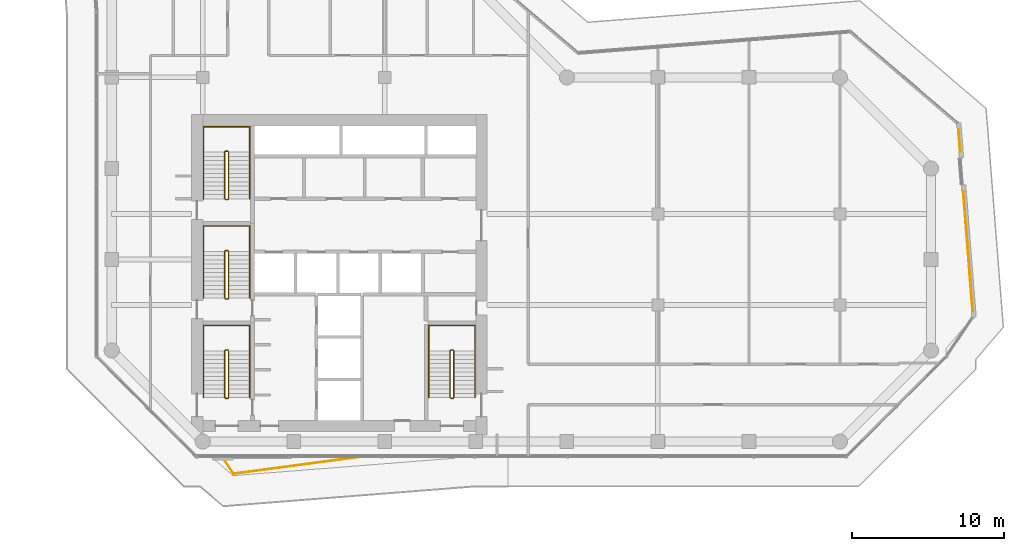
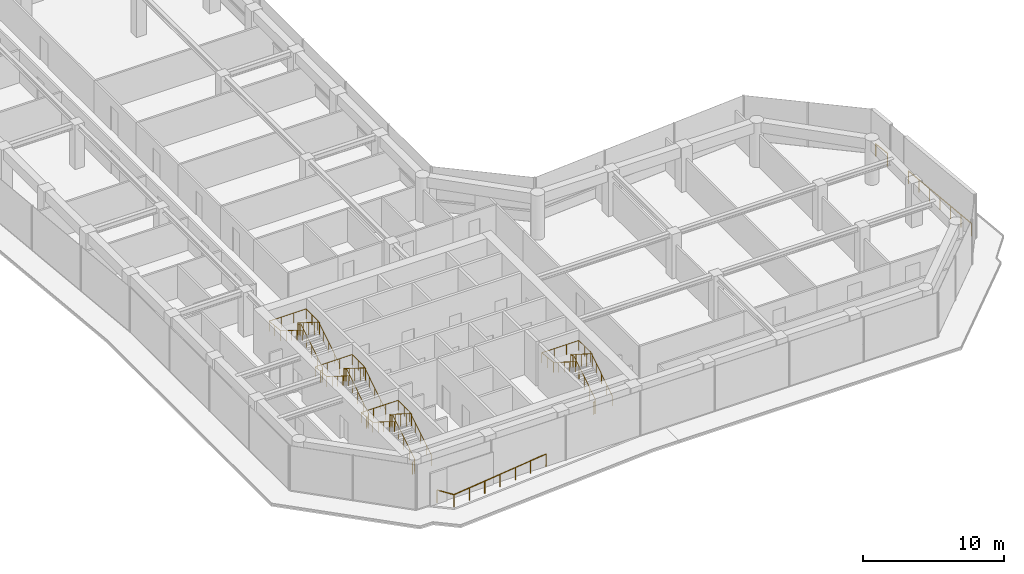
# One storey, part 24 of 25: 11 railings.
"""IFC4 building model written with IfcOpenShell, lengths in metres."""

from ifc_helpers import new_model, si_unit, direction, frame, origin, origin_2d, place, context, subcontext, project, spatial, circle, extrude, material, type_object, element, save


model = new_model("IFC4")

# Units and contexts
model_context = context("Model", 3, precision=1e-05, world=origin(), true_north=direction((0.0, 1.0)))
body_context = subcontext(model_context, "Body", "Model", "MODEL_VIEW")
ifc_project = project(units=[si_unit("LENGTHUNIT", "METRE"), si_unit("AREAUNIT", "SQUARE_METRE"), si_unit("VOLUMEUNIT", "CUBIC_METRE"), si_unit("PLANEANGLEUNIT", "RADIAN"), si_unit("MASSUNIT", "GRAM", prefix="KILO")], contexts=[model_context])

# Site, building, storey
site_placement = place(None, origin())
site = spatial("IfcSite", under=ifc_project, at=site_placement, CompositionType="ELEMENT")
building_placement = place(site_placement, origin())
building = spatial("IfcBuilding", under=site, at=building_placement, Name="Welwitschia Terrace Campus", CompositionType="ELEMENT")
storey_placement = place(building_placement, frame((0.0, 0.0, 92.0)))
storey = spatial("IfcBuildingStorey", under=building, at=storey_placement, Name="L20", CompositionType="ELEMENT", Elevation=92.0)

# Railings
ifc_material_1 = material(Name="Stainless steel grade 316", Category="steel")
railing_type_1 = type_object("IfcRailingType", Name="Guard 1100", PredefinedType="GUARDRAIL", material=ifc_material_1)
railing_1_placement = place(storey_placement, frame((16.236083984375, 2.969970703125, 0.0)))
element("IfcRailing", 1, at=railing_1_placement, inside=storey, type_object=railing_type_1, Name="Guard floor edge L20.1", PredefinedType="GUARDRAIL", context=body_context, shape_type="SweptSolid", body=[
    extrude(circle(Radius=0.02392578125, at=origin_2d()), frame((0.0, 0.0, 1.076171875), z_axis=(-0.991187855802, -0.132463710167, 0.0), x_axis=(0.132463710167, -0.991187855802, 0.0)), (0.0, 0.0, 1.0), 8.262451171875),
    extrude(circle(Radius=0.02392578125, at=origin_2d()), frame((-8.189697265625, -1.094482421875, 1.076171875), z_axis=(-0.56751834248, 0.823360753831, 0.0), x_axis=(-0.823360753831, -0.56751834248, 0.0)), (0.0, 0.0, 1.0), 1.329345703125),
    extrude(circle(Radius=0.02099609375, at=origin_2d()), origin(), (0.0, 0.0, 1.0), 1.052001953125),
    extrude(circle(Radius=0.02099609375, at=origin_2d()), frame((-1.364990234375, -0.182373046875, 0.0)), (0.0, 0.0, 1.0), 1.052001953125),
    extrude(circle(Radius=0.02099609375, at=origin_2d()), frame((-2.72998046875, -0.36474609375, 0.0)), (0.0, 0.0, 1.0), 1.052001953125),
    extrude(circle(Radius=0.02099609375, at=origin_2d()), frame((-4.0947265625, -0.54736328125, 0.0)), (0.0, 0.0, 1.0), 1.052001953125),
    extrude(circle(Radius=0.02099609375, at=origin_2d()), frame((-5.459716796875, -0.729736328125, 0.0)), (0.0, 0.0, 1.0), 1.052001953125),
    extrude(circle(Radius=0.02099609375, at=origin_2d()), frame((-6.82470703125, -0.912109375, 0.0)), (0.0, 0.0, 1.0), 1.052001953125),
    extrude(circle(Radius=0.02099609375, at=origin_2d()), frame((-8.189697265625, -1.094482421875, 0.0)), (0.0, 0.0, 1.0), 1.052001953125),
    extrude(circle(Radius=0.02099609375, at=origin_2d()), frame((-8.944091796875, 0.0, 0.0)), (0.0, 0.0, 1.0), 1.052001953125),
])
railing_2_placement = place(storey_placement, frame((55.80712890625, 24.57568359375, 0.0)))
element("IfcRailing", 2, at=railing_2_placement, inside=storey, type_object=railing_type_1, Name="Guard floor edge L20.4", PredefinedType="GUARDRAIL", context=body_context, shape_type="SweptSolid", body=[
    extrude(circle(Radius=0.02392578125, at=origin_2d()), frame((0.0, 0.0, 1.076171875), z_axis=(0.078441150902, -0.996918745859, 0.0), x_axis=(0.996918745859, 0.078441150902, 0.0)), (0.0, 0.0, 1.0), 1.466064453125),
    extrude(circle(Radius=0.02099609375, at=origin_2d()), origin(), (0.0, 0.0, 1.0), 1.052001953125),
    extrude(circle(Radius=0.02099609375, at=origin_2d()), frame((0.114990234375, -1.46142578125, 0.0)), (0.0, 0.0, 1.0), 1.052001953125),
])
railing_3_placement = place(storey_placement, frame((56.1298828125, 20.47509765625, 0.0)))
element("IfcRailing", 3, at=railing_3_placement, inside=storey, type_object=railing_type_1, Name="Guard floor edge L20.5", PredefinedType="GUARDRAIL", context=body_context, shape_type="SweptSolid", body=[
    extrude(circle(Radius=0.02392578125, at=origin_2d()), frame((0.0, 0.0, 1.076171875), z_axis=(0.078477584204, -0.996915878486, 0.0), x_axis=(0.996915878486, 0.078477584204, 0.0)), (0.0, 0.0, 1.0), 7.892578125),
    extrude(circle(Radius=0.02099609375, at=origin_2d()), origin(), (0.0, 0.0, 1.0), 1.052001953125),
    extrude(circle(Radius=0.02099609375, at=origin_2d()), frame((0.103271484375, -1.311279296875, 0.0)), (0.0, 0.0, 1.0), 1.052001953125),
    extrude(circle(Radius=0.02099609375, at=origin_2d()), frame((0.20654296875, -2.622802734375, 0.0)), (0.0, 0.0, 1.0), 1.052001953125),
    extrude(circle(Radius=0.02099609375, at=origin_2d()), frame((0.3095703125, -3.93408203125, 0.0)), (0.0, 0.0, 1.0), 1.052001953125),
    extrude(circle(Radius=0.02099609375, at=origin_2d()), frame((0.412841796875, -5.245361328125, 0.0)), (0.0, 0.0, 1.0), 1.052001953125),
    extrude(circle(Radius=0.02099609375, at=origin_2d()), frame((0.51611328125, -6.556884765625, 0.0)), (0.0, 0.0, 1.0), 1.052001953125),
    extrude(circle(Radius=0.02099609375, at=origin_2d()), frame((0.619384765625, -7.8681640625, 0.0)), (0.0, 0.0, 1.0), 1.052001953125),
])
ifc_material_2 = material(Name="Steel S355", Category="steel")
railing_type_2 = type_object("IfcRailingType", Name="Stair guard 1100", PredefinedType="GUARDRAIL", material=ifc_material_2)
railing_4_placement = place(storey_placement, frame((7.5, 6.85009765625, 0.0)))
element("IfcRailing", 4, at=railing_4_placement, inside=storey, type_object=railing_type_2, Name="L20 S1 stair guard", PredefinedType="GUARDRAIL", context=body_context, shape_type="SweptSolid", body=[
    extrude(circle(Radius=0.02392578125, at=origin_2d()), frame((0.0, 0.0, 1.076171875), z_axis=(1.0, 0.0, 0.0), x_axis=(0.0, 1.0, 0.0)), (0.0, 0.0, 1.0), 0.14990234375),
    extrude(circle(Radius=0.02392578125, at=origin_2d()), frame((0.14990234375, 0.0, 1.076171875), z_axis=(0.265155923931, 0.263862480399, 0.927399011991), x_axis=(-0.705375805398, 0.708833529934, 0.0)), (0.0, 0.0, 1.0), 0.188720703125),
    extrude(circle(Radius=0.02392578125, at=origin_2d()), frame((0.199951171875, 0.0498046875, 1.2509765625), z_axis=(0.0, 0.847998304005, 0.529998940003), x_axis=(-1.0, 0.0, 0.0)), (0.0, 0.0, 1.0), 3.632080078125),
    extrude(circle(Radius=0.02392578125, at=origin_2d()), frame((0.199951171875, 3.1298828125, 3.17626953125), z_axis=(-0.707106781187, 0.707106781187, 0.0), x_axis=(-0.707106781187, -0.707106781187, 0.0)), (0.0, 0.0, 1.0), 0.07080078125),
    extrude(circle(Radius=0.02392578125, at=origin_2d()), frame((0.14990234375, 3.179931640625, 3.17626953125), z_axis=(-1.0, 0.0, 0.0), x_axis=(0.0, -1.0, 0.0)), (0.0, 0.0, 1.0), 0.14990234375),
    extrude(circle(Radius=0.02392578125, at=origin_2d()), frame((0.0, 3.179931640625, 3.17626953125), z_axis=(-0.265383341853, -0.265383341853, 0.926899867156), x_axis=(0.707106781187, -0.707106781187, 0.0)), (0.0, 0.0, 1.0), 0.1884765625),
    extrude(circle(Radius=0.02392578125, at=origin_2d()), frame((-0.050048828125, 3.1298828125, 3.35107421875), z_axis=(0.0, -0.847998304005, 0.529998940003), x_axis=(1.0, 0.0, 0.0)), (0.0, 0.0, 1.0), 3.632080078125),
    extrude(circle(Radius=0.02099609375, at=origin_2d()), origin(), (0.0, 0.0, 1.0), 1.052001953125),
    extrude(circle(Radius=0.02099609375, at=origin_2d()), frame((0.14990234375, 0.0, 0.0)), (0.0, 0.0, 1.0), 1.052001953125),
    extrude(circle(Radius=0.02099609375, at=origin_2d()), frame((0.199951171875, 0.0498046875, 0.175048828125)), (0.0, 0.0, 1.0), 1.052001953125),
    extrude(circle(Radius=0.02099609375, at=origin_2d()), frame((0.199951171875, 0.81982421875, 0.65625)), (0.0, 0.0, 1.0), 1.052001953125),
    extrude(circle(Radius=0.02099609375, at=origin_2d()), frame((0.199951171875, 1.58984375, 1.1376953125)), (0.0, 0.0, 1.0), 1.052001953125),
    extrude(circle(Radius=0.02099609375, at=origin_2d()), frame((0.199951171875, 2.35986328125, 1.618896484375)), (0.0, 0.0, 1.0), 1.052001953125),
    extrude(circle(Radius=0.02099609375, at=origin_2d()), frame((0.199951171875, 3.1298828125, 2.10009765625)), (0.0, 0.0, 1.0), 1.052001953125),
    extrude(circle(Radius=0.02099609375, at=origin_2d()), frame((0.14990234375, 3.179931640625, 2.10009765625)), (0.0, 0.0, 1.0), 1.052001953125),
    extrude(circle(Radius=0.02099609375, at=origin_2d()), frame((0.0, 3.179931640625, 2.10009765625)), (0.0, 0.0, 1.0), 1.052001953125),
    extrude(circle(Radius=0.02099609375, at=origin_2d()), frame((-0.050048828125, 3.1298828125, 2.27490234375)), (0.0, 0.0, 1.0), 1.052001953125),
    extrude(circle(Radius=0.02099609375, at=origin_2d()), frame((-0.050048828125, 2.35986328125, 2.756103515625)), (0.0, 0.0, 1.0), 1.052001953125),
    extrude(circle(Radius=0.02099609375, at=origin_2d()), frame((-0.050048828125, 1.58984375, 3.2373046875)), (0.0, 0.0, 1.0), 1.052001953125),
    extrude(circle(Radius=0.02099609375, at=origin_2d()), frame((-0.050048828125, 0.81982421875, 3.71875)), (0.0, 0.0, 1.0), 1.052001953125),
    extrude(circle(Radius=0.02099609375, at=origin_2d()), frame((-0.050048828125, 0.0498046875, 4.199951171875)), (0.0, 0.0, 1.0), 1.052001953125),
])
railing_5_placement = place(storey_placement, frame((7.5, 13.39990234375, 0.0)))
element("IfcRailing", 5, at=railing_5_placement, inside=storey, type_object=railing_type_2, Name="L20 S3 stair guard", PredefinedType="GUARDRAIL", context=body_context, shape_type="SweptSolid", body=[
    extrude(circle(Radius=0.02392578125, at=origin_2d()), frame((0.0, 0.0, 1.076171875), z_axis=(1.0, 0.0, 0.0), x_axis=(0.0, 1.0, 0.0)), (0.0, 0.0, 1.0), 0.14990234375),
    extrude(circle(Radius=0.02392578125, at=origin_2d()), frame((0.14990234375, 0.0, 1.076171875), z_axis=(0.265065253269, 0.265065253269, 0.927081885822), x_axis=(-0.707106781187, 0.707106781187, 0.0)), (0.0, 0.0, 1.0), 0.188720703125),
    extrude(circle(Radius=0.02392578125, at=origin_2d()), frame((0.199951171875, 0.050048828125, 1.2509765625), z_axis=(0.0, 0.847998304005, 0.529998940003), x_axis=(-1.0, 0.0, 0.0)), (0.0, 0.0, 1.0), 3.632080078125),
    extrude(circle(Radius=0.02392578125, at=origin_2d()), frame((0.199951171875, 3.130126953125, 3.17626953125), z_axis=(-0.707106781187, 0.707106781187, 0.0), x_axis=(-0.707106781187, -0.707106781187, 0.0)), (0.0, 0.0, 1.0), 0.07080078125),
    extrude(circle(Radius=0.02392578125, at=origin_2d()), frame((0.14990234375, 3.18017578125, 3.17626953125), z_axis=(-1.0, 0.0, 0.0), x_axis=(0.0, -1.0, 0.0)), (0.0, 0.0, 1.0), 0.14990234375),
    extrude(circle(Radius=0.02392578125, at=origin_2d()), frame((0.0, 3.18017578125, 3.17626953125), z_axis=(-0.265383341853, -0.265383341853, 0.926899867156), x_axis=(0.707106781187, -0.707106781187, 0.0)), (0.0, 0.0, 1.0), 0.1884765625),
    extrude(circle(Radius=0.02392578125, at=origin_2d()), frame((-0.050048828125, 3.130126953125, 3.35107421875), z_axis=(0.0, -0.847998304005, 0.529998940003), x_axis=(1.0, 0.0, 0.0)), (0.0, 0.0, 1.0), 3.632080078125),
    extrude(circle(Radius=0.02099609375, at=origin_2d()), origin(), (0.0, 0.0, 1.0), 1.052001953125),
    extrude(circle(Radius=0.02099609375, at=origin_2d()), frame((0.14990234375, 0.0, 0.0)), (0.0, 0.0, 1.0), 1.052001953125),
    extrude(circle(Radius=0.02099609375, at=origin_2d()), frame((0.199951171875, 0.050048828125, 0.175048828125)), (0.0, 0.0, 1.0), 1.052001953125),
    extrude(circle(Radius=0.02099609375, at=origin_2d()), frame((0.199951171875, 0.820068359375, 0.65625)), (0.0, 0.0, 1.0), 1.052001953125),
    extrude(circle(Radius=0.02099609375, at=origin_2d()), frame((0.199951171875, 1.590087890625, 1.1376953125)), (0.0, 0.0, 1.0), 1.052001953125),
    extrude(circle(Radius=0.02099609375, at=origin_2d()), frame((0.199951171875, 2.360107421875, 1.618896484375)), (0.0, 0.0, 1.0), 1.052001953125),
    extrude(circle(Radius=0.02099609375, at=origin_2d()), frame((0.199951171875, 3.130126953125, 2.10009765625)), (0.0, 0.0, 1.0), 1.052001953125),
    extrude(circle(Radius=0.02099609375, at=origin_2d()), frame((0.14990234375, 3.18017578125, 2.10009765625)), (0.0, 0.0, 1.0), 1.052001953125),
    extrude(circle(Radius=0.02099609375, at=origin_2d()), frame((0.0, 3.18017578125, 2.10009765625)), (0.0, 0.0, 1.0), 1.052001953125),
    extrude(circle(Radius=0.02099609375, at=origin_2d()), frame((-0.050048828125, 3.130126953125, 2.27490234375)), (0.0, 0.0, 1.0), 1.052001953125),
    extrude(circle(Radius=0.02099609375, at=origin_2d()), frame((-0.050048828125, 2.360107421875, 2.756103515625)), (0.0, 0.0, 1.0), 1.052001953125),
    extrude(circle(Radius=0.02099609375, at=origin_2d()), frame((-0.050048828125, 1.590087890625, 3.2373046875)), (0.0, 0.0, 1.0), 1.052001953125),
    extrude(circle(Radius=0.02099609375, at=origin_2d()), frame((-0.050048828125, 0.820068359375, 3.71875)), (0.0, 0.0, 1.0), 1.052001953125),
    extrude(circle(Radius=0.02099609375, at=origin_2d()), frame((-0.050048828125, 0.050048828125, 4.199951171875)), (0.0, 0.0, 1.0), 1.052001953125),
])
railing_6_placement = place(storey_placement, frame((7.5, 19.949951171875, 0.0)))
element("IfcRailing", 6, at=railing_6_placement, inside=storey, type_object=railing_type_2, Name="L20 S4 stair guard", PredefinedType="GUARDRAIL", context=body_context, shape_type="SweptSolid", body=[
    extrude(circle(Radius=0.02392578125, at=origin_2d()), frame((0.0, 0.0, 1.076171875), z_axis=(1.0, 0.0, 0.0), x_axis=(0.0, 1.0, 0.0)), (0.0, 0.0, 1.0), 0.14990234375),
    extrude(circle(Radius=0.02392578125, at=origin_2d()), frame((0.14990234375, 0.0, 1.076171875), z_axis=(0.265065253269, 0.265065253269, 0.927081885822), x_axis=(-0.707106781187, 0.707106781187, 0.0)), (0.0, 0.0, 1.0), 0.188720703125),
    extrude(circle(Radius=0.02392578125, at=origin_2d()), frame((0.199951171875, 0.050048828125, 1.2509765625), z_axis=(0.0, 0.847998304005, 0.529998940003), x_axis=(-1.0, 0.0, 0.0)), (0.0, 0.0, 1.0), 3.632080078125),
    extrude(circle(Radius=0.02392578125, at=origin_2d()), frame((0.199951171875, 3.130126953125, 3.17626953125), z_axis=(-0.708833529934, 0.705375805398, 0.0), x_axis=(-0.705375805398, -0.708833529934, 0.0)), (0.0, 0.0, 1.0), 0.070556640625),
    extrude(circle(Radius=0.02392578125, at=origin_2d()), frame((0.14990234375, 3.179931640625, 3.17626953125), z_axis=(-1.0, 0.0, 0.0), x_axis=(0.0, -1.0, 0.0)), (0.0, 0.0, 1.0), 0.14990234375),
    extrude(circle(Radius=0.02392578125, at=origin_2d()), frame((0.0, 3.179931640625, 3.17626953125), z_axis=(-0.265474339444, -0.264179342666, 0.927217692888), x_axis=(0.705375805398, -0.708833529934, 0.0)), (0.0, 0.0, 1.0), 0.1884765625),
    extrude(circle(Radius=0.02392578125, at=origin_2d()), frame((-0.050048828125, 3.130126953125, 3.35107421875), z_axis=(0.0, -0.847998304005, 0.529998940003), x_axis=(1.0, 0.0, 0.0)), (0.0, 0.0, 1.0), 3.632080078125),
    extrude(circle(Radius=0.02099609375, at=origin_2d()), origin(), (0.0, 0.0, 1.0), 1.052001953125),
    extrude(circle(Radius=0.02099609375, at=origin_2d()), frame((0.14990234375, 0.0, 0.0)), (0.0, 0.0, 1.0), 1.052001953125),
    extrude(circle(Radius=0.02099609375, at=origin_2d()), frame((0.199951171875, 0.050048828125, 0.175048828125)), (0.0, 0.0, 1.0), 1.052001953125),
    extrude(circle(Radius=0.02099609375, at=origin_2d()), frame((0.199951171875, 0.820068359375, 0.65625)), (0.0, 0.0, 1.0), 1.052001953125),
    extrude(circle(Radius=0.02099609375, at=origin_2d()), frame((0.199951171875, 1.590087890625, 1.1376953125)), (0.0, 0.0, 1.0), 1.052001953125),
    extrude(circle(Radius=0.02099609375, at=origin_2d()), frame((0.199951171875, 2.360107421875, 1.618896484375)), (0.0, 0.0, 1.0), 1.052001953125),
    extrude(circle(Radius=0.02099609375, at=origin_2d()), frame((0.199951171875, 3.130126953125, 2.10009765625)), (0.0, 0.0, 1.0), 1.052001953125),
    extrude(circle(Radius=0.02099609375, at=origin_2d()), frame((0.14990234375, 3.179931640625, 2.10009765625)), (0.0, 0.0, 1.0), 1.052001953125),
    extrude(circle(Radius=0.02099609375, at=origin_2d()), frame((0.0, 3.179931640625, 2.10009765625)), (0.0, 0.0, 1.0), 1.052001953125),
    extrude(circle(Radius=0.02099609375, at=origin_2d()), frame((-0.050048828125, 3.130126953125, 2.27490234375)), (0.0, 0.0, 1.0), 1.052001953125),
    extrude(circle(Radius=0.02099609375, at=origin_2d()), frame((-0.050048828125, 2.360107421875, 2.756103515625)), (0.0, 0.0, 1.0), 1.052001953125),
    extrude(circle(Radius=0.02099609375, at=origin_2d()), frame((-0.050048828125, 1.590087890625, 3.2373046875)), (0.0, 0.0, 1.0), 1.052001953125),
    extrude(circle(Radius=0.02099609375, at=origin_2d()), frame((-0.050048828125, 0.820068359375, 3.71875)), (0.0, 0.0, 1.0), 1.052001953125),
    extrude(circle(Radius=0.02099609375, at=origin_2d()), frame((-0.050048828125, 0.050048828125, 4.199951171875)), (0.0, 0.0, 1.0), 1.052001953125),
])
railing_7_placement = place(storey_placement, frame((22.35009765625, 6.85009765625, 0.0)))
element("IfcRailing", 7, at=railing_7_placement, inside=storey, type_object=railing_type_2, Name="L20 S2 stair guard", PredefinedType="GUARDRAIL", context=body_context, shape_type="SweptSolid", body=[
    extrude(circle(Radius=0.02392578125, at=origin_2d()), frame((0.0, 0.0, 1.076171875), z_axis=(1.0, 0.0, 0.0), x_axis=(0.0, 1.0, 0.0)), (0.0, 0.0, 1.0), 0.14990234375),
    extrude(circle(Radius=0.02392578125, at=origin_2d()), frame((0.14990234375, 0.0, 1.076171875), z_axis=(0.265155923931, 0.263862480399, 0.927399011991), x_axis=(-0.705375805398, 0.708833529934, 0.0)), (0.0, 0.0, 1.0), 0.188720703125),
    extrude(circle(Radius=0.02392578125, at=origin_2d()), frame((0.199951171875, 0.0498046875, 1.2509765625), z_axis=(0.0, 0.847998304005, 0.529998940003), x_axis=(-1.0, 0.0, 0.0)), (0.0, 0.0, 1.0), 3.632080078125),
    extrude(circle(Radius=0.02392578125, at=origin_2d()), frame((0.199951171875, 3.1298828125, 3.17626953125), z_axis=(-0.707106781187, 0.707106781187, 0.0), x_axis=(-0.707106781187, -0.707106781187, 0.0)), (0.0, 0.0, 1.0), 0.07080078125),
    extrude(circle(Radius=0.02392578125, at=origin_2d()), frame((0.14990234375, 3.179931640625, 3.17626953125), z_axis=(-1.0, 0.0, 0.0), x_axis=(0.0, -1.0, 0.0)), (0.0, 0.0, 1.0), 0.14990234375),
    extrude(circle(Radius=0.02392578125, at=origin_2d()), frame((0.0, 3.179931640625, 3.17626953125), z_axis=(-0.265383341853, -0.265383341853, 0.926899867156), x_axis=(0.707106781187, -0.707106781187, 0.0)), (0.0, 0.0, 1.0), 0.1884765625),
    extrude(circle(Radius=0.02392578125, at=origin_2d()), frame((-0.050048828125, 3.1298828125, 3.35107421875), z_axis=(0.0, -0.847998304005, 0.529998940003), x_axis=(1.0, 0.0, 0.0)), (0.0, 0.0, 1.0), 3.632080078125),
    extrude(circle(Radius=0.02099609375, at=origin_2d()), origin(), (0.0, 0.0, 1.0), 1.052001953125),
    extrude(circle(Radius=0.02099609375, at=origin_2d()), frame((0.14990234375, 0.0, 0.0)), (0.0, 0.0, 1.0), 1.052001953125),
    extrude(circle(Radius=0.02099609375, at=origin_2d()), frame((0.199951171875, 0.0498046875, 0.175048828125)), (0.0, 0.0, 1.0), 1.052001953125),
    extrude(circle(Radius=0.02099609375, at=origin_2d()), frame((0.199951171875, 0.81982421875, 0.65625)), (0.0, 0.0, 1.0), 1.052001953125),
    extrude(circle(Radius=0.02099609375, at=origin_2d()), frame((0.199951171875, 1.58984375, 1.1376953125)), (0.0, 0.0, 1.0), 1.052001953125),
    extrude(circle(Radius=0.02099609375, at=origin_2d()), frame((0.199951171875, 2.35986328125, 1.618896484375)), (0.0, 0.0, 1.0), 1.052001953125),
    extrude(circle(Radius=0.02099609375, at=origin_2d()), frame((0.199951171875, 3.1298828125, 2.10009765625)), (0.0, 0.0, 1.0), 1.052001953125),
    extrude(circle(Radius=0.02099609375, at=origin_2d()), frame((0.14990234375, 3.179931640625, 2.10009765625)), (0.0, 0.0, 1.0), 1.052001953125),
    extrude(circle(Radius=0.02099609375, at=origin_2d()), frame((0.0, 3.179931640625, 2.10009765625)), (0.0, 0.0, 1.0), 1.052001953125),
    extrude(circle(Radius=0.02099609375, at=origin_2d()), frame((-0.050048828125, 3.1298828125, 2.27490234375)), (0.0, 0.0, 1.0), 1.052001953125),
    extrude(circle(Radius=0.02099609375, at=origin_2d()), frame((-0.050048828125, 2.35986328125, 2.756103515625)), (0.0, 0.0, 1.0), 1.052001953125),
    extrude(circle(Radius=0.02099609375, at=origin_2d()), frame((-0.050048828125, 1.58984375, 3.2373046875)), (0.0, 0.0, 1.0), 1.052001953125),
    extrude(circle(Radius=0.02099609375, at=origin_2d()), frame((-0.050048828125, 0.81982421875, 3.71875)), (0.0, 0.0, 1.0), 1.052001953125),
    extrude(circle(Radius=0.02099609375, at=origin_2d()), frame((-0.050048828125, 0.0498046875, 4.199951171875)), (0.0, 0.0, 1.0), 1.052001953125),
])
ifc_material_3 = material(Name="Steel S355", Category="steel")
railing_type_3 = type_object("IfcRailingType", Name="Stair handrail 900", PredefinedType="HANDRAIL", material=ifc_material_3)
railing_8_placement = place(storey_placement, frame((9.10009765625, 6.89990234375, 0.175048828125)))
element("IfcRailing", 8, at=railing_8_placement, inside=storey, type_object=railing_type_3, Name="L20 S1 stair handrail", PredefinedType="HANDRAIL", context=body_context, shape_type="SweptSolid", body=[
    extrude(circle(Radius=0.02392578125, at=origin_2d()), frame((0.0, 0.0, 0.8759765625), z_axis=(0.0, 0.847998304005, 0.529998940003), x_axis=(-1.0, 0.0, 0.0)), (0.0, 0.0, 1.0), 3.632080078125),
    extrude(circle(Radius=0.02392578125, at=origin_2d()), frame((0.0, 3.080078125, 2.80078125), z_axis=(0.0, 1.0, 0.0), x_axis=(-1.0, 0.0, 0.0)), (0.0, 0.0, 1.0), 1.669921875),
    extrude(circle(Radius=0.02392578125, at=origin_2d()), frame((0.0, 4.75, 2.80078125), z_axis=(-1.0, 0.0, 0.0), x_axis=(0.0, -1.0, 0.0)), (0.0, 0.0, 1.0), 3.050048828125),
    extrude(circle(Radius=0.02392578125, at=origin_2d()), frame((-3.050048828125, 4.75, 2.80078125), z_axis=(0.0, -0.994565838508, 0.104109523446), x_axis=(1.0, 0.0, 0.0)), (0.0, 0.0, 1.0), 1.678955078125),
    extrude(circle(Radius=0.02392578125, at=origin_2d()), frame((-3.050048828125, 3.080078125, 2.9755859375), z_axis=(0.0, -0.847998304005, 0.529998940003), x_axis=(1.0, 0.0, 0.0)), (0.0, 0.0, 1.0), 3.632080078125),
    extrude(circle(Radius=0.02099609375, at=origin_2d()), origin(), (0.0, 0.0, 1.0), 0.851806640625),
    extrude(circle(Radius=0.02099609375, at=origin_2d()), frame((0.0, 0.77001953125, 0.481201171875)), (0.0, 0.0, 1.0), 0.851806640625),
    extrude(circle(Radius=0.02099609375, at=origin_2d()), frame((0.0, 1.5400390625, 0.96240234375)), (0.0, 0.0, 1.0), 0.851806640625),
    extrude(circle(Radius=0.02099609375, at=origin_2d()), frame((0.0, 2.31005859375, 1.44384765625)), (0.0, 0.0, 1.0), 0.851806640625),
    extrude(circle(Radius=0.02099609375, at=origin_2d()), frame((0.0, 3.080078125, 1.925048828125)), (0.0, 0.0, 1.0), 0.851806640625),
    extrude(circle(Radius=0.02099609375, at=origin_2d()), frame((0.0, 3.9150390625, 1.925048828125)), (0.0, 0.0, 1.0), 0.851806640625),
    extrude(circle(Radius=0.02099609375, at=origin_2d()), frame((0.0, 4.75, 1.925048828125)), (0.0, 0.0, 1.0), 0.851806640625),
    extrude(circle(Radius=0.02099609375, at=origin_2d()), frame((-1.0166015625, 4.75, 1.925048828125)), (0.0, 0.0, 1.0), 0.851806640625),
    extrude(circle(Radius=0.02099609375, at=origin_2d()), frame((-2.033447265625, 4.75, 1.925048828125)), (0.0, 0.0, 1.0), 0.851806640625),
    extrude(circle(Radius=0.02099609375, at=origin_2d()), frame((-3.050048828125, 4.75, 1.925048828125)), (0.0, 0.0, 1.0), 0.851806640625),
    extrude(circle(Radius=0.02099609375, at=origin_2d()), frame((-3.050048828125, 3.9150390625, 2.012451171875)), (0.0, 0.0, 1.0), 0.851806640625),
    extrude(circle(Radius=0.02099609375, at=origin_2d()), frame((-3.050048828125, 3.080078125, 2.099853515625)), (0.0, 0.0, 1.0), 0.851806640625),
    extrude(circle(Radius=0.02099609375, at=origin_2d()), frame((-3.050048828125, 2.31005859375, 2.5810546875)), (0.0, 0.0, 1.0), 0.851806640625),
    extrude(circle(Radius=0.02099609375, at=origin_2d()), frame((-3.050048828125, 1.5400390625, 3.0625)), (0.0, 0.0, 1.0), 0.851806640625),
    extrude(circle(Radius=0.02099609375, at=origin_2d()), frame((-3.050048828125, 0.77001953125, 3.543701171875)), (0.0, 0.0, 1.0), 0.851806640625),
    extrude(circle(Radius=0.02099609375, at=origin_2d()), frame((-3.050048828125, 0.0, 4.02490234375)), (0.0, 0.0, 1.0), 0.851806640625),
])
railing_9_placement = place(storey_placement, frame((9.10009765625, 13.449951171875, 0.175048828125)))
element("IfcRailing", 9, at=railing_9_placement, inside=storey, type_object=railing_type_3, Name="L20 S3 stair handrail", PredefinedType="HANDRAIL", context=body_context, shape_type="SweptSolid", body=[
    extrude(circle(Radius=0.02392578125, at=origin_2d()), frame((0.0, 0.0, 0.8759765625), z_axis=(0.0, 0.847998304005, 0.529998940003), x_axis=(-1.0, 0.0, 0.0)), (0.0, 0.0, 1.0), 3.632080078125),
    extrude(circle(Radius=0.02392578125, at=origin_2d()), frame((0.0, 3.080078125, 2.80078125), z_axis=(0.0, 1.0, 0.0), x_axis=(-1.0, 0.0, 0.0)), (0.0, 0.0, 1.0), 1.669921875),
    extrude(circle(Radius=0.02392578125, at=origin_2d()), frame((0.0, 4.75, 2.80078125), z_axis=(-1.0, 0.0, 0.0), x_axis=(0.0, -1.0, 0.0)), (0.0, 0.0, 1.0), 3.050048828125),
    extrude(circle(Radius=0.02392578125, at=origin_2d()), frame((-3.050048828125, 4.75, 2.80078125), z_axis=(0.0, -0.994565838508, 0.104109523446), x_axis=(1.0, 0.0, 0.0)), (0.0, 0.0, 1.0), 1.678955078125),
    extrude(circle(Radius=0.02392578125, at=origin_2d()), frame((-3.050048828125, 3.080078125, 2.9755859375), z_axis=(0.0, -0.847998304005, 0.529998940003), x_axis=(1.0, 0.0, 0.0)), (0.0, 0.0, 1.0), 3.632080078125),
    extrude(circle(Radius=0.02099609375, at=origin_2d()), origin(), (0.0, 0.0, 1.0), 0.851806640625),
    extrude(circle(Radius=0.02099609375, at=origin_2d()), frame((0.0, 0.77001953125, 0.481201171875)), (0.0, 0.0, 1.0), 0.851806640625),
    extrude(circle(Radius=0.02099609375, at=origin_2d()), frame((0.0, 1.5400390625, 0.96240234375)), (0.0, 0.0, 1.0), 0.851806640625),
    extrude(circle(Radius=0.02099609375, at=origin_2d()), frame((0.0, 2.31005859375, 1.44384765625)), (0.0, 0.0, 1.0), 0.851806640625),
    extrude(circle(Radius=0.02099609375, at=origin_2d()), frame((0.0, 3.080078125, 1.925048828125)), (0.0, 0.0, 1.0), 0.851806640625),
    extrude(circle(Radius=0.02099609375, at=origin_2d()), frame((0.0, 3.9150390625, 1.925048828125)), (0.0, 0.0, 1.0), 0.851806640625),
    extrude(circle(Radius=0.02099609375, at=origin_2d()), frame((0.0, 4.75, 1.925048828125)), (0.0, 0.0, 1.0), 0.851806640625),
    extrude(circle(Radius=0.02099609375, at=origin_2d()), frame((-1.0166015625, 4.75, 1.925048828125)), (0.0, 0.0, 1.0), 0.851806640625),
    extrude(circle(Radius=0.02099609375, at=origin_2d()), frame((-2.033447265625, 4.75, 1.925048828125)), (0.0, 0.0, 1.0), 0.851806640625),
    extrude(circle(Radius=0.02099609375, at=origin_2d()), frame((-3.050048828125, 4.75, 1.925048828125)), (0.0, 0.0, 1.0), 0.851806640625),
    extrude(circle(Radius=0.02099609375, at=origin_2d()), frame((-3.050048828125, 3.9150390625, 2.012451171875)), (0.0, 0.0, 1.0), 0.851806640625),
    extrude(circle(Radius=0.02099609375, at=origin_2d()), frame((-3.050048828125, 3.080078125, 2.099853515625)), (0.0, 0.0, 1.0), 0.851806640625),
    extrude(circle(Radius=0.02099609375, at=origin_2d()), frame((-3.050048828125, 2.31005859375, 2.5810546875)), (0.0, 0.0, 1.0), 0.851806640625),
    extrude(circle(Radius=0.02099609375, at=origin_2d()), frame((-3.050048828125, 1.5400390625, 3.0625)), (0.0, 0.0, 1.0), 0.851806640625),
    extrude(circle(Radius=0.02099609375, at=origin_2d()), frame((-3.050048828125, 0.77001953125, 3.543701171875)), (0.0, 0.0, 1.0), 0.851806640625),
    extrude(circle(Radius=0.02099609375, at=origin_2d()), frame((-3.050048828125, 0.0, 4.02490234375)), (0.0, 0.0, 1.0), 0.851806640625),
])
railing_10_placement = place(storey_placement, frame((9.10009765625, 20.0, 0.175048828125)))
element("IfcRailing", 10, at=railing_10_placement, inside=storey, type_object=railing_type_3, Name="L20 S4 stair handrail", PredefinedType="HANDRAIL", context=body_context, shape_type="SweptSolid", body=[
    extrude(circle(Radius=0.02392578125, at=origin_2d()), frame((0.0, 0.0, 0.8759765625), z_axis=(0.0, 0.847998304005, 0.529998940003), x_axis=(-1.0, 0.0, 0.0)), (0.0, 0.0, 1.0), 3.632080078125),
    extrude(circle(Radius=0.02392578125, at=origin_2d()), frame((0.0, 3.080078125, 2.80078125), z_axis=(0.0, 1.0, 0.0), x_axis=(-1.0, 0.0, 0.0)), (0.0, 0.0, 1.0), 1.669921875),
    extrude(circle(Radius=0.02392578125, at=origin_2d()), frame((0.0, 4.75, 2.80078125), z_axis=(-1.0, 0.0, 0.0), x_axis=(0.0, -1.0, 0.0)), (0.0, 0.0, 1.0), 3.050048828125),
    extrude(circle(Radius=0.02392578125, at=origin_2d()), frame((-3.050048828125, 4.75, 2.80078125), z_axis=(0.0, -0.994565838508, 0.104109523446), x_axis=(1.0, 0.0, 0.0)), (0.0, 0.0, 1.0), 1.678955078125),
    extrude(circle(Radius=0.02392578125, at=origin_2d()), frame((-3.050048828125, 3.080078125, 2.9755859375), z_axis=(0.0, -0.847998304005, 0.529998940003), x_axis=(1.0, 0.0, 0.0)), (0.0, 0.0, 1.0), 3.632080078125),
    extrude(circle(Radius=0.02099609375, at=origin_2d()), origin(), (0.0, 0.0, 1.0), 0.851806640625),
    extrude(circle(Radius=0.02099609375, at=origin_2d()), frame((0.0, 0.77001953125, 0.481201171875)), (0.0, 0.0, 1.0), 0.851806640625),
    extrude(circle(Radius=0.02099609375, at=origin_2d()), frame((0.0, 1.5400390625, 0.96240234375)), (0.0, 0.0, 1.0), 0.851806640625),
    extrude(circle(Radius=0.02099609375, at=origin_2d()), frame((0.0, 2.31005859375, 1.44384765625)), (0.0, 0.0, 1.0), 0.851806640625),
    extrude(circle(Radius=0.02099609375, at=origin_2d()), frame((0.0, 3.080078125, 1.925048828125)), (0.0, 0.0, 1.0), 0.851806640625),
    extrude(circle(Radius=0.02099609375, at=origin_2d()), frame((0.0, 3.9150390625, 1.925048828125)), (0.0, 0.0, 1.0), 0.851806640625),
    extrude(circle(Radius=0.02099609375, at=origin_2d()), frame((0.0, 4.75, 1.925048828125)), (0.0, 0.0, 1.0), 0.851806640625),
    extrude(circle(Radius=0.02099609375, at=origin_2d()), frame((-1.0166015625, 4.75, 1.925048828125)), (0.0, 0.0, 1.0), 0.851806640625),
    extrude(circle(Radius=0.02099609375, at=origin_2d()), frame((-2.033447265625, 4.75, 1.925048828125)), (0.0, 0.0, 1.0), 0.851806640625),
    extrude(circle(Radius=0.02099609375, at=origin_2d()), frame((-3.050048828125, 4.75, 1.925048828125)), (0.0, 0.0, 1.0), 0.851806640625),
    extrude(circle(Radius=0.02099609375, at=origin_2d()), frame((-3.050048828125, 3.9150390625, 2.012451171875)), (0.0, 0.0, 1.0), 0.851806640625),
    extrude(circle(Radius=0.02099609375, at=origin_2d()), frame((-3.050048828125, 3.080078125, 2.099853515625)), (0.0, 0.0, 1.0), 0.851806640625),
    extrude(circle(Radius=0.02099609375, at=origin_2d()), frame((-3.050048828125, 2.31005859375, 2.5810546875)), (0.0, 0.0, 1.0), 0.851806640625),
    extrude(circle(Radius=0.02099609375, at=origin_2d()), frame((-3.050048828125, 1.5400390625, 3.0625)), (0.0, 0.0, 1.0), 0.851806640625),
    extrude(circle(Radius=0.02099609375, at=origin_2d()), frame((-3.050048828125, 0.77001953125, 3.543701171875)), (0.0, 0.0, 1.0), 0.851806640625),
    extrude(circle(Radius=0.02099609375, at=origin_2d()), frame((-3.050048828125, 0.0, 4.02490234375)), (0.0, 0.0, 1.0), 0.851806640625),
])
railing_11_placement = place(storey_placement, frame((23.949951171875, 6.89990234375, 0.175048828125)))
element("IfcRailing", 11, at=railing_11_placement, inside=storey, type_object=railing_type_3, Name="L20 S2 stair handrail", PredefinedType="HANDRAIL", context=body_context, shape_type="SweptSolid", body=[
    extrude(circle(Radius=0.02392578125, at=origin_2d()), frame((0.0, 0.0, 0.8759765625), z_axis=(0.0, 0.847998304005, 0.529998940003), x_axis=(-1.0, 0.0, 0.0)), (0.0, 0.0, 1.0), 3.632080078125),
    extrude(circle(Radius=0.02392578125, at=origin_2d()), frame((0.0, 3.080078125, 2.80078125), z_axis=(0.0, 1.0, 0.0), x_axis=(-1.0, 0.0, 0.0)), (0.0, 0.0, 1.0), 1.669921875),
    extrude(circle(Radius=0.02392578125, at=origin_2d()), frame((0.0, 4.75, 2.80078125), z_axis=(-1.0, 0.0, 0.0), x_axis=(0.0, -1.0, 0.0)), (0.0, 0.0, 1.0), 3.050048828125),
    extrude(circle(Radius=0.02392578125, at=origin_2d()), frame((-3.050048828125, 4.75, 2.80078125), z_axis=(0.0, -0.994565838508, 0.104109523446), x_axis=(1.0, 0.0, 0.0)), (0.0, 0.0, 1.0), 1.678955078125),
    extrude(circle(Radius=0.02392578125, at=origin_2d()), frame((-3.050048828125, 3.080078125, 2.9755859375), z_axis=(0.0, -0.847998304005, 0.529998940003), x_axis=(1.0, 0.0, 0.0)), (0.0, 0.0, 1.0), 3.632080078125),
    extrude(circle(Radius=0.02099609375, at=origin_2d()), origin(), (0.0, 0.0, 1.0), 0.851806640625),
    extrude(circle(Radius=0.02099609375, at=origin_2d()), frame((0.0, 0.77001953125, 0.481201171875)), (0.0, 0.0, 1.0), 0.851806640625),
    extrude(circle(Radius=0.02099609375, at=origin_2d()), frame((0.0, 1.5400390625, 0.96240234375)), (0.0, 0.0, 1.0), 0.851806640625),
    extrude(circle(Radius=0.02099609375, at=origin_2d()), frame((0.0, 2.31005859375, 1.44384765625)), (0.0, 0.0, 1.0), 0.851806640625),
    extrude(circle(Radius=0.02099609375, at=origin_2d()), frame((0.0, 3.080078125, 1.925048828125)), (0.0, 0.0, 1.0), 0.851806640625),
    extrude(circle(Radius=0.02099609375, at=origin_2d()), frame((0.0, 3.9150390625, 1.925048828125)), (0.0, 0.0, 1.0), 0.851806640625),
    extrude(circle(Radius=0.02099609375, at=origin_2d()), frame((0.0, 4.75, 1.925048828125)), (0.0, 0.0, 1.0), 0.851806640625),
    extrude(circle(Radius=0.02099609375, at=origin_2d()), frame((-1.0166015625, 4.75, 1.925048828125)), (0.0, 0.0, 1.0), 0.851806640625),
    extrude(circle(Radius=0.02099609375, at=origin_2d()), frame((-2.033447265625, 4.75, 1.925048828125)), (0.0, 0.0, 1.0), 0.851806640625),
    extrude(circle(Radius=0.02099609375, at=origin_2d()), frame((-3.050048828125, 4.75, 1.925048828125)), (0.0, 0.0, 1.0), 0.851806640625),
    extrude(circle(Radius=0.02099609375, at=origin_2d()), frame((-3.050048828125, 3.9150390625, 2.012451171875)), (0.0, 0.0, 1.0), 0.851806640625),
    extrude(circle(Radius=0.02099609375, at=origin_2d()), frame((-3.050048828125, 3.080078125, 2.099853515625)), (0.0, 0.0, 1.0), 0.851806640625),
    extrude(circle(Radius=0.02099609375, at=origin_2d()), frame((-3.050048828125, 2.31005859375, 2.5810546875)), (0.0, 0.0, 1.0), 0.851806640625),
    extrude(circle(Radius=0.02099609375, at=origin_2d()), frame((-3.050048828125, 1.5400390625, 3.0625)), (0.0, 0.0, 1.0), 0.851806640625),
    extrude(circle(Radius=0.02099609375, at=origin_2d()), frame((-3.050048828125, 0.77001953125, 3.543701171875)), (0.0, 0.0, 1.0), 0.851806640625),
    extrude(circle(Radius=0.02099609375, at=origin_2d()), frame((-3.050048828125, 0.0, 4.02490234375)), (0.0, 0.0, 1.0), 0.851806640625),
])

save(model, "model.ifc")
